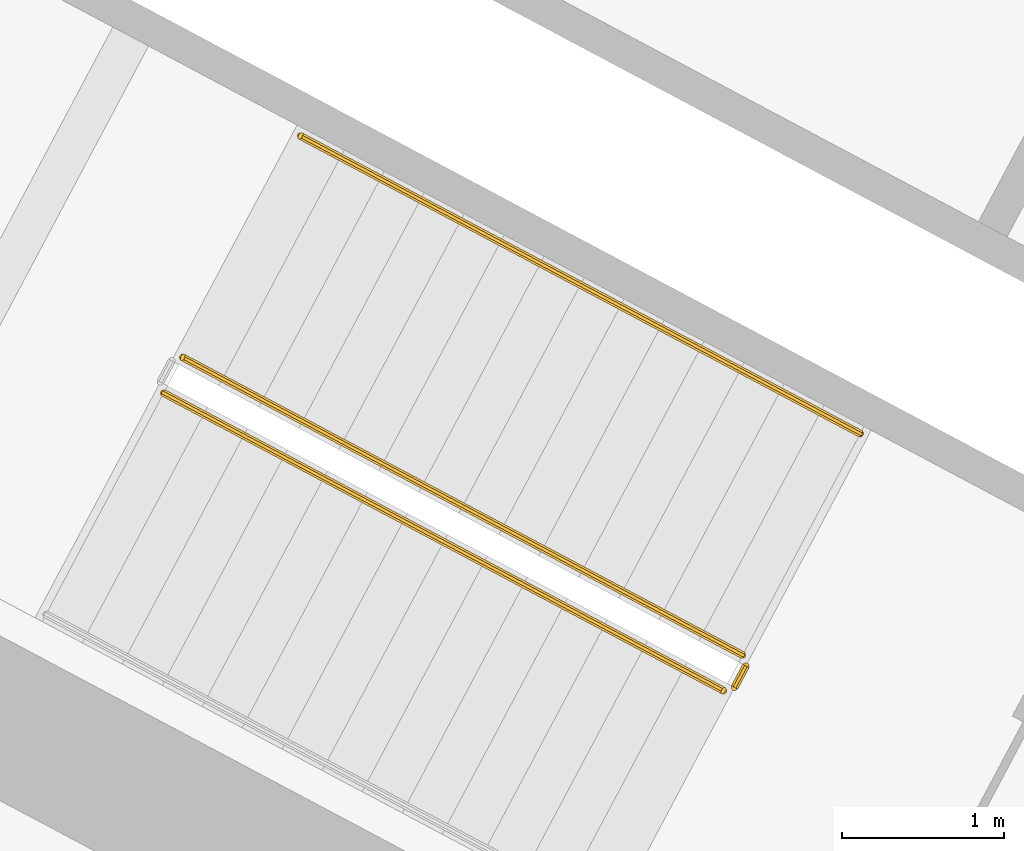
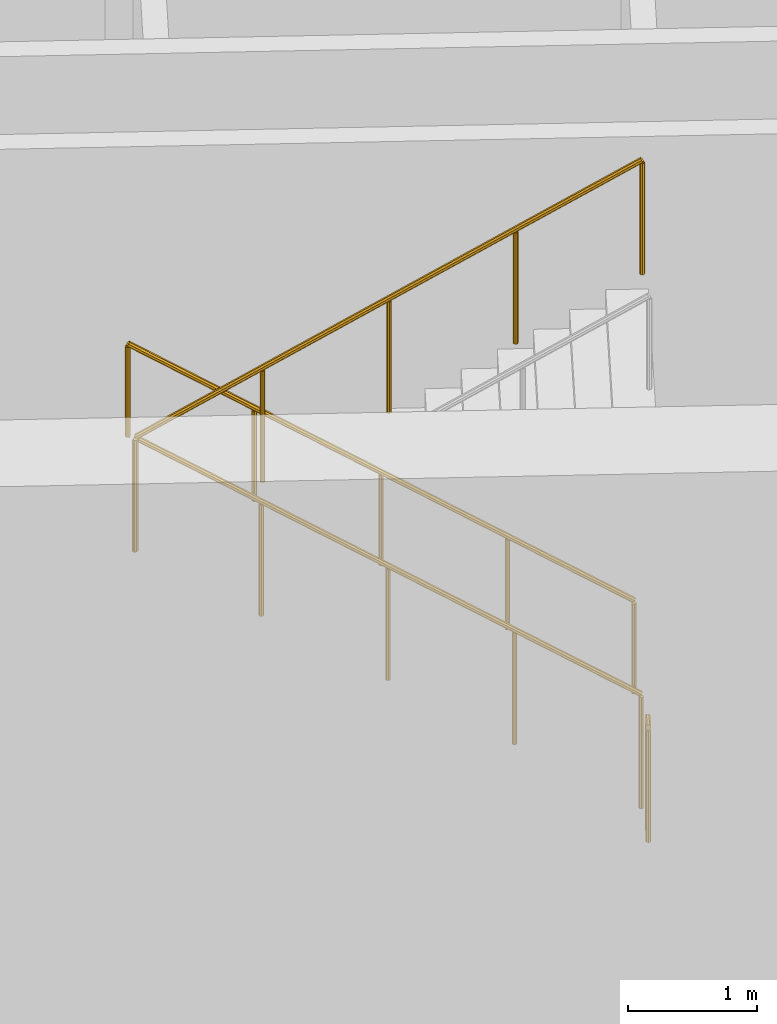
# One storey, part 23 of 31: 4 railings.
"""IFC4 building model written with IfcOpenShell, lengths in metres."""

from ifc_helpers import new_model, si_unit, direction, frame, origin, place, context, subcontext, project, spatial, polyline, outline, extrude, material, type_object, element, save


model = new_model("IFC4")

# Units and contexts
model_context = context("Model", 3, precision=1e-05, world=origin(), true_north=direction((0.0, 1.0)))
body_context = subcontext(model_context, "Body", "Model", "MODEL_VIEW")
ifc_project = project(units=[si_unit("LENGTHUNIT", "METRE"), si_unit("AREAUNIT", "SQUARE_METRE"), si_unit("VOLUMEUNIT", "CUBIC_METRE"), si_unit("PLANEANGLEUNIT", "RADIAN"), si_unit("MASSUNIT", "GRAM", prefix="KILO")], contexts=[model_context])

# Site, building, storey
site_placement = place(None, origin())
site = spatial("IfcSite", under=ifc_project, at=site_placement, CompositionType="ELEMENT")
building_placement = place(site_placement, origin())
building = spatial("IfcBuilding", under=site, at=building_placement, Name="Cormorant Relay Tower", CompositionType="ELEMENT")
storey_placement = place(building_placement, frame((0.0, 0.0, 12.199951171875)))
storey = spatial("IfcBuildingStorey", under=building, at=storey_placement, Name="L02", CompositionType="ELEMENT", Elevation=12.199951171875)

# Railings
ifc_material_1 = material(Name="Steel ASTM A572 Grade 50 (Fy 345 MPa)", Category="steel")
railing_type_1 = type_object("IfcRailingType", Name="Stair guard 1100", PredefinedType="GUARDRAIL", material=ifc_material_1)
railing_1_placement = place(storey_placement, frame((-33.9921875, 10.08935546875, 0.179931640625)))
element("IfcRailing", 1, at=railing_1_placement, inside=storey, type_object=railing_type_1, Name="L02 A2 stair guard 1", PredefinedType="GUARDRAIL", context=body_context, shape_type="SweptSolid", body=[
    extrude(outline(polyline([(0.022216796875, 0.00927734375), (0.00927734375, 0.022216796875), (-0.00927734375, 0.022216796875), (-0.022216796875, 0.00927734375), (-0.022216796875, -0.00927734375), (-0.00927734375, -0.022216796875), (0.00927734375, -0.022216796875), (0.022216796875, -0.00927734375), (0.022216796875, 0.00927734375)])), frame((0.0, 0.0, 1.076171875), z_axis=(-0.74271721126, 0.394907409077, 0.540758062681), x_axis=(-0.469469396681, -0.882948744594, 0.0)), (0.0, 0.0, 1.0), 4.66015625),
    extrude(outline(polyline([(0.019287109375, 0.008056640625), (0.008056640625, 0.019287109375), (-0.008056640625, 0.019287109375), (-0.019287109375, 0.008056640625), (-0.019287109375, -0.008056640625), (-0.008056640625, -0.019287109375), (0.008056640625, -0.019287109375), (0.019287109375, -0.008056640625), (0.019287109375, 0.008056640625)])), origin(), (0.0, 0.0, 1.0), 1.052001953125),
    extrude(outline(polyline([(0.019287109375, 0.008056640625), (0.008056640625, 0.019287109375), (-0.008056640625, 0.019287109375), (-0.019287109375, 0.008056640625), (-0.019287109375, -0.008056640625), (-0.008056640625, -0.019287109375), (0.008056640625, -0.019287109375), (0.019287109375, -0.008056640625), (0.019287109375, 0.008056640625)])), frame((-0.865234375, 0.4599609375, 0.6298828125)), (0.0, 0.0, 1.0), 1.052001953125),
    extrude(outline(polyline([(0.019287109375, 0.008056640625), (0.008056640625, 0.019287109375), (-0.008056640625, 0.019287109375), (-0.019287109375, 0.008056640625), (-0.019287109375, -0.008056640625), (-0.008056640625, -0.019287109375), (0.008056640625, -0.019287109375), (0.019287109375, -0.008056640625), (0.019287109375, 0.008056640625)])), frame((-1.73046875, 0.920166015625, 1.260009765625)), (0.0, 0.0, 1.0), 1.052001953125),
    extrude(outline(polyline([(0.019287109375, 0.008056640625), (0.008056640625, 0.019287109375), (-0.008056640625, 0.019287109375), (-0.019287109375, 0.008056640625), (-0.019287109375, -0.008056640625), (-0.008056640625, -0.019287109375), (0.008056640625, -0.019287109375), (0.019287109375, -0.008056640625), (0.019287109375, 0.008056640625)])), frame((-2.595947265625, 1.38037109375, 1.89013671875)), (0.0, 0.0, 1.0), 1.052001953125),
    extrude(outline(polyline([(0.019287109375, 0.008056640625), (0.008056640625, 0.019287109375), (-0.008056640625, 0.019287109375), (-0.019287109375, 0.008056640625), (-0.019287109375, -0.008056640625), (-0.008056640625, -0.019287109375), (0.008056640625, -0.019287109375), (0.019287109375, -0.008056640625), (0.019287109375, 0.008056640625)])), frame((-3.461181640625, 1.84033203125, 2.52001953125)), (0.0, 0.0, 1.0), 1.052001953125),
])
railing_2_placement = place(storey_placement, frame((-37.57080078125, 11.708984375, 2.880126953125)))
element("IfcRailing", 2, at=railing_2_placement, inside=storey, type_object=railing_type_1, Name="L02 A2 stair guard 3", PredefinedType="GUARDRAIL", context=body_context, shape_type="SweptSolid", body=[
    extrude(outline(polyline([(0.022216796875, 0.00927734375), (0.00927734375, 0.022216796875), (-0.00927734375, 0.022216796875), (-0.022216796875, 0.00927734375), (-0.022216796875, -0.00927734375), (-0.00927734375, -0.022216796875), (0.00927734375, -0.022216796875), (0.022216796875, -0.00927734375), (0.022216796875, 0.00927734375)])), frame((0.0, 0.0, 1.076171875), z_axis=(0.74271721126, -0.394907409077, 0.540758062681), x_axis=(0.469469396681, 0.882948744594, 0.0)), (0.0, 0.0, 1.0), 4.66015625),
    extrude(outline(polyline([(0.019287109375, 0.008056640625), (0.008056640625, 0.019287109375), (-0.008056640625, 0.019287109375), (-0.019287109375, 0.008056640625), (-0.019287109375, -0.008056640625), (-0.008056640625, -0.019287109375), (0.008056640625, -0.019287109375), (0.019287109375, -0.008056640625), (0.019287109375, 0.008056640625)])), origin(), (0.0, 0.0, 1.0), 1.052001953125),
    extrude(outline(polyline([(0.019287109375, 0.008056640625), (0.008056640625, 0.019287109375), (-0.008056640625, 0.019287109375), (-0.019287109375, 0.008056640625), (-0.019287109375, -0.008056640625), (-0.008056640625, -0.019287109375), (0.008056640625, -0.019287109375), (0.019287109375, -0.008056640625), (0.019287109375, 0.008056640625)])), frame((0.865234375, -0.4599609375, 0.6298828125)), (0.0, 0.0, 1.0), 1.052001953125),
    extrude(outline(polyline([(0.019287109375, 0.008056640625), (0.008056640625, 0.019287109375), (-0.008056640625, 0.019287109375), (-0.019287109375, 0.008056640625), (-0.019287109375, -0.008056640625), (-0.008056640625, -0.019287109375), (0.008056640625, -0.019287109375), (0.019287109375, -0.008056640625), (0.019287109375, 0.008056640625)])), frame((1.73046875, -0.920166015625, 1.260009765625)), (0.0, 0.0, 1.0), 1.052001953125),
    extrude(outline(polyline([(0.019287109375, 0.008056640625), (0.008056640625, 0.019287109375), (-0.008056640625, 0.019287109375), (-0.019287109375, 0.008056640625), (-0.019287109375, -0.008056640625), (-0.008056640625, -0.019287109375), (0.008056640625, -0.019287109375), (0.019287109375, -0.008056640625), (0.019287109375, 0.008056640625)])), frame((2.595947265625, -1.38037109375, 1.89013671875)), (0.0, 0.0, 1.0), 1.052001953125),
    extrude(outline(polyline([(0.019287109375, 0.008056640625), (0.008056640625, 0.019287109375), (-0.008056640625, 0.019287109375), (-0.019287109375, 0.008056640625), (-0.019287109375, -0.008056640625), (-0.008056640625, -0.019287109375), (0.008056640625, -0.019287109375), (0.019287109375, -0.008056640625), (0.019287109375, 0.008056640625)])), frame((3.461181640625, -1.84033203125, 2.52001953125)), (0.0, 0.0, 1.0), 1.052001953125),
])
railing_3_placement = place(storey_placement, frame((-33.971435546875, 10.021728515625, 0.0)))
element("IfcRailing", 3, at=railing_3_placement, inside=storey, type_object=railing_type_1, Name="L02 A2 stair guard 4", PredefinedType="GUARDRAIL", context=body_context, shape_type="SweptSolid", body=[
    extrude(outline(polyline([(0.022216796875, 0.00927734375), (0.00927734375, 0.022216796875), (-0.00927734375, 0.022216796875), (-0.022216796875, 0.00927734375), (-0.022216796875, -0.00927734375), (-0.00927734375, -0.022216796875), (0.00927734375, -0.022216796875), (0.022216796875, -0.00927734375), (0.022216796875, 0.00927734375)])), frame((0.0, 0.0, 1.076171875), z_axis=(-0.470503732759, -0.882398003998, 0.0), x_axis=(0.882398003998, -0.470503732759, 0.0)), (0.0, 0.0, 1.0), 0.14990234375),
    extrude(outline(polyline([(0.019287109375, 0.008056640625), (0.008056640625, 0.019287109375), (-0.008056640625, 0.019287109375), (-0.019287109375, 0.008056640625), (-0.019287109375, -0.008056640625), (-0.008056640625, -0.019287109375), (0.008056640625, -0.019287109375), (0.019287109375, -0.008056640625), (0.019287109375, 0.008056640625)])), origin(), (0.0, 0.0, 1.0), 1.052001953125),
    extrude(outline(polyline([(0.019287109375, 0.008056640625), (0.008056640625, 0.019287109375), (-0.008056640625, 0.019287109375), (-0.019287109375, 0.008056640625), (-0.019287109375, -0.008056640625), (-0.008056640625, -0.019287109375), (0.008056640625, -0.019287109375), (0.019287109375, -0.008056640625), (0.019287109375, 0.008056640625)])), frame((-0.070556640625, -0.13232421875, 0.0)), (0.0, 0.0, 1.0), 1.052001953125),
])
ifc_material_2 = material(Name="Steel ASTM A572 Grade 50 (Fy 345 MPa)", Category="steel")
railing_type_2 = type_object("IfcRailingType", Name="Stair handrail 900", PredefinedType="HANDRAIL", material=ifc_material_2)
railing_4_placement = place(storey_placement, frame((-33.264404296875, 11.4580078125, 0.179931640625)))
element("IfcRailing", 4, at=railing_4_placement, inside=storey, type_object=railing_type_2, Name="L02 A2 stair handrail 1", PredefinedType="HANDRAIL", context=body_context, shape_type="SweptSolid", body=[
    extrude(outline(polyline([(0.022216796875, 0.00927734375), (0.00927734375, 0.022216796875), (-0.00927734375, 0.022216796875), (-0.022216796875, 0.00927734375), (-0.022216796875, -0.00927734375), (-0.00927734375, -0.022216796875), (0.00927734375, -0.022216796875), (0.022216796875, -0.00927734375), (0.022216796875, 0.00927734375)])), frame((0.0, 0.0, 0.8759765625), z_axis=(-0.74271721126, 0.394907409077, 0.540758062681), x_axis=(-0.469469396681, -0.882948744594, 0.0)), (0.0, 0.0, 1.0), 4.66015625),
    extrude(outline(polyline([(0.019287109375, 0.008056640625), (0.008056640625, 0.019287109375), (-0.008056640625, 0.019287109375), (-0.019287109375, 0.008056640625), (-0.019287109375, -0.008056640625), (-0.008056640625, -0.019287109375), (0.008056640625, -0.019287109375), (0.019287109375, -0.008056640625), (0.019287109375, 0.008056640625)])), origin(), (0.0, 0.0, 1.0), 0.851806640625),
    extrude(outline(polyline([(0.019287109375, 0.008056640625), (0.008056640625, 0.019287109375), (-0.008056640625, 0.019287109375), (-0.019287109375, 0.008056640625), (-0.019287109375, -0.008056640625), (-0.008056640625, -0.019287109375), (0.008056640625, -0.019287109375), (0.019287109375, -0.008056640625), (0.019287109375, 0.008056640625)])), frame((-0.865234375, 0.4599609375, 0.6298828125)), (0.0, 0.0, 1.0), 0.851806640625),
    extrude(outline(polyline([(0.019287109375, 0.008056640625), (0.008056640625, 0.019287109375), (-0.008056640625, 0.019287109375), (-0.019287109375, 0.008056640625), (-0.019287109375, -0.008056640625), (-0.008056640625, -0.019287109375), (0.008056640625, -0.019287109375), (0.019287109375, -0.008056640625), (0.019287109375, 0.008056640625)])), frame((-1.73046875, 0.920166015625, 1.260009765625)), (0.0, 0.0, 1.0), 0.851806640625),
    extrude(outline(polyline([(0.019287109375, 0.008056640625), (0.008056640625, 0.019287109375), (-0.008056640625, 0.019287109375), (-0.019287109375, 0.008056640625), (-0.019287109375, -0.008056640625), (-0.008056640625, -0.019287109375), (0.008056640625, -0.019287109375), (0.019287109375, -0.008056640625), (0.019287109375, 0.008056640625)])), frame((-2.595947265625, 1.38037109375, 1.89013671875)), (0.0, 0.0, 1.0), 0.851806640625),
    extrude(outline(polyline([(0.019287109375, 0.008056640625), (0.008056640625, 0.019287109375), (-0.008056640625, 0.019287109375), (-0.019287109375, 0.008056640625), (-0.019287109375, -0.008056640625), (-0.008056640625, -0.019287109375), (0.008056640625, -0.019287109375), (0.019287109375, -0.008056640625), (0.019287109375, 0.008056640625)])), frame((-3.461181640625, 1.84033203125, 2.52001953125)), (0.0, 0.0, 1.0), 0.851806640625),
])

save(model, "model.ifc")
